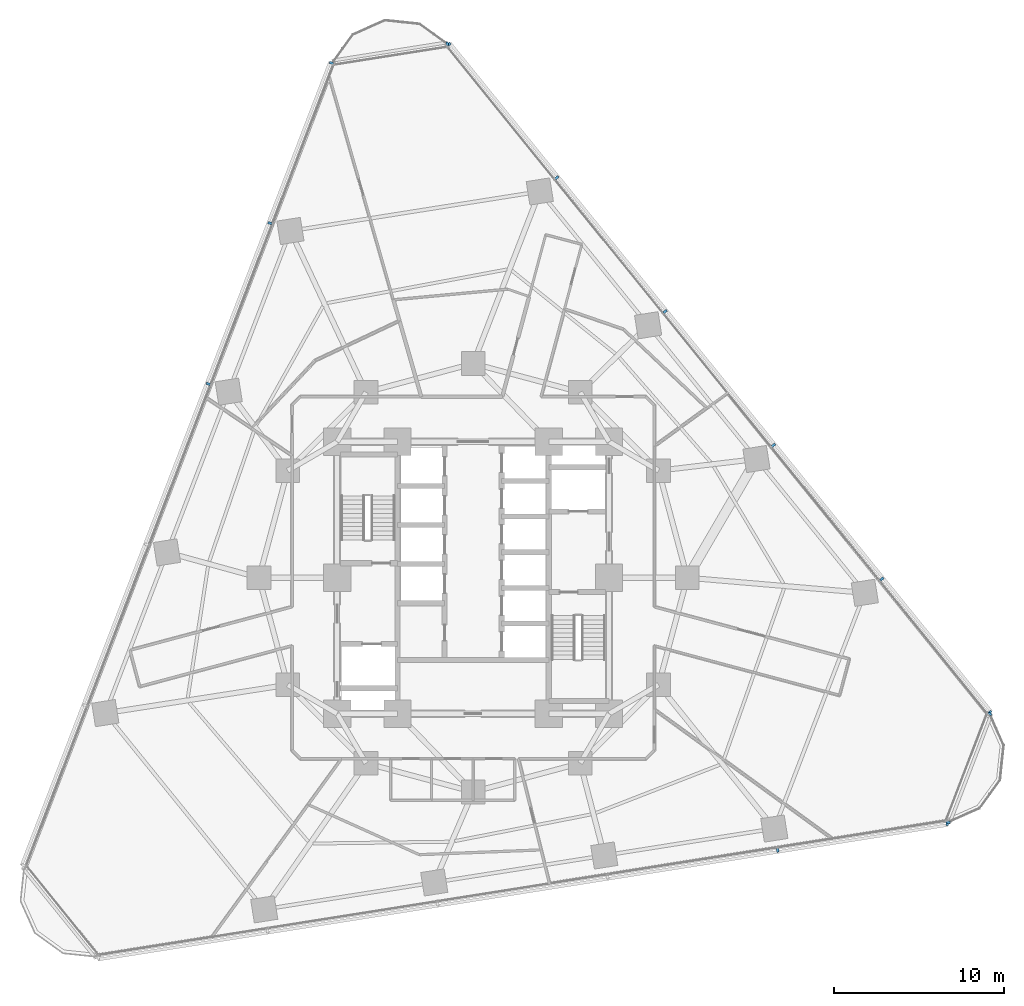
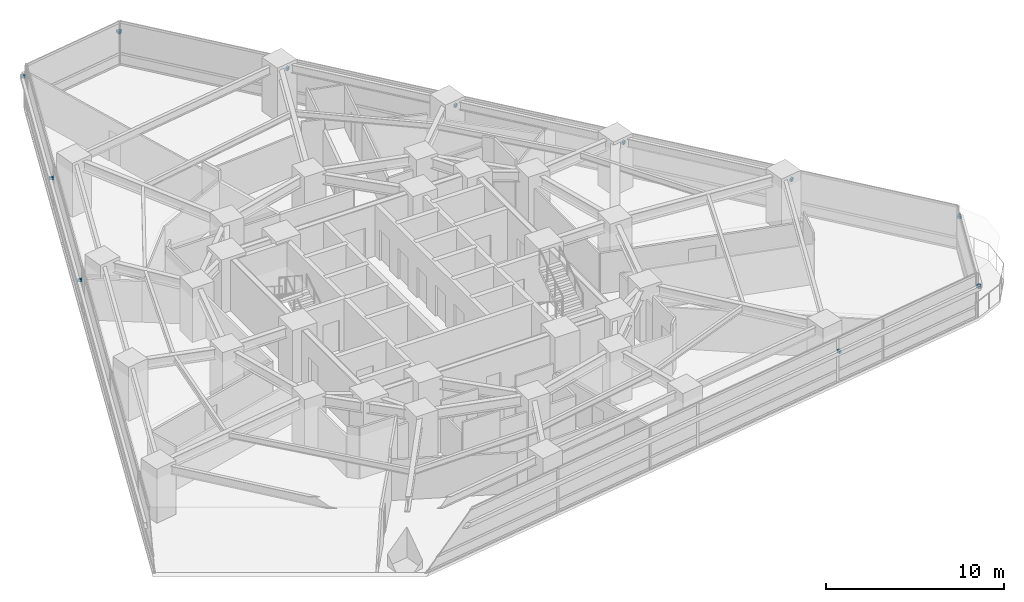
# One storey, part 10 of 13: 14 discrete accessories.
"""IFC4 building model written with IfcOpenShell, lengths in metres."""

from ifc_helpers import new_model, si_unit, direction, frame, origin, origin_2d, place, context, subcontext, project, spatial, rectangle, extrude, material, type_object, element, save


model = new_model("IFC4")

# Units and contexts
model_context = context("Model", 3, precision=1e-05, world=origin(), true_north=direction((0.0, 1.0)))
body_context = subcontext(model_context, "Body", "Model", "MODEL_VIEW")
ifc_project = project(units=[si_unit("LENGTHUNIT", "METRE"), si_unit("AREAUNIT", "SQUARE_METRE"), si_unit("VOLUMEUNIT", "CUBIC_METRE"), si_unit("PLANEANGLEUNIT", "RADIAN"), si_unit("MASSUNIT", "GRAM", prefix="KILO")], contexts=[model_context])

# Site, building, storey
site_placement = place(None, origin())
site = spatial("IfcSite", under=ifc_project, at=site_placement, CompositionType="ELEMENT")
building_placement = place(site_placement, origin())
building = spatial("IfcBuilding", under=site, at=building_placement, Name="Terralouvre Media Tower", CompositionType="ELEMENT")
storey_placement = place(building_placement, frame((0.0, 0.0, 59.300048828125)))
storey = spatial("IfcBuildingStorey", under=building, at=storey_placement, Name="L14", CompositionType="ELEMENT", Elevation=59.300048828125)

# Discrete accessories
ifc_material = material(Name="Anodised extruded aluminium 6063-T6", Category="aluminium")
discrete_accessory_type = type_object("IfcDiscreteAccessoryType", Name="Mullion Stand-Off Baguette Fixing Bracket BK-01", PredefinedType="BRACKET", material=ifc_material)
for number, where, z_axis, x_axis, name in (
    (1, (17.920654296875, -16.032470703125, 2.07421875), (0.0, 0.0, 1.0), (0.987688340934, 0.156434462903, 0.0), "CW-L14-F0 Baguette Outrigger Bracket 1.05"),
    (2, (27.886962890625, -14.4541015625, 2.07421875), (0.0, 0.0, 1.0), (0.987688340934, 0.156434462903, 0.0), "CW-L14-F0 Baguette Outrigger Bracket 1.06"),
    (3, (30.395751953125, -7.918701171875, 2.07421875), (0.0, 0.0, 1.0), (-0.629320350521, 0.777145994276, 0.0), "CW-L14-F1 Baguette Outrigger Bracket 1.01"),
    (4, (24.04541015625, -0.076904296875, 2.07421875), (0.0, 0.0, 1.0), (-0.629320350521, 0.777145994276, 0.0), "CW-L14-F1 Baguette Outrigger Bracket 1.02"),
    (5, (17.671630859375, 7.794189453125, 2.07421875), (0.0, 0.0, 1.0), (-0.629320350521, 0.777145994276, 0.0), "CW-L14-F1 Baguette Outrigger Bracket 1.03"),
    (6, (11.2978515625, 15.6650390625, 2.07421875), (0.0, 0.0, 1.0), (-0.629320350521, 0.777145994276, 0.0), "CW-L14-F1 Baguette Outrigger Bracket 1.04"),
    (7, (4.92431640625, 23.535888671875, 2.07421875), (0.0, 0.0, 1.0), (-0.629320350521, 0.777145994276, 0.0), "CW-L14-F1 Baguette Outrigger Bracket 1.05"),
    (8, (-1.426025390625, 31.377685546875, 2.07421875), (0.0, 0.0, 1.0), (-0.629320350521, 0.777145994276, 0.0), "CW-L14-F1 Baguette Outrigger Bracket 1.06"),
    (9, (-8.340087890625, 30.28271484375, 2.07421875), (0.0, 0.0, 1.0), (-0.358367917006, -0.933580438988, 0.0), "CW-L14-F2 Baguette Outrigger Bracket 1.01"),
    (10, (-11.956298828125, 20.8623046875, 2.07421875), (0.0, 0.0, 1.0), (-0.358367917006, -0.933580438988, 0.0), "CW-L14-F2 Baguette Outrigger Bracket 1.02"),
    (11, (-15.585693359375, 11.406982421875, 2.07421875), (0.0, 0.0, 1.0), (-0.358367917006, -0.933580438988, 0.0), "CW-L14-F2 Baguette Outrigger Bracket 1.03"),
    (12, (27.949951171875, -14.380859375, 2.07421875), (0.0, 0.0, 1.0), (0.358367472863, 0.933580609478, 0.0), "CW-L14-C1 Baguette Outrigger Bracket 1.01"),
    (13, (30.393310546875, -8.01513671875, 2.07421875), (0.0, 0.0, 1.0), (0.358367472863, 0.933580609478, 0.0), "CW-L14-C1 Baguette Outrigger Bracket 1.02"),
    (14, (-1.520751953125, 31.395751953125, 2.07421875), (0.0, 0.0, 1.0), (-0.987688353034, -0.156434386502, 0.0), "CW-L14-C2 Baguette Outrigger Bracket 1.01"),
):
    element("IfcDiscreteAccessory", number, at=place(storey_placement, frame(where, z_axis=z_axis, x_axis=x_axis)), inside=storey, type_object=discrete_accessory_type, Name=name, PredefinedType="BRACKET", context=body_context, shape_type="SweptSolid", body=[
        extrude(rectangle(XDim=0.139892578125, YDim=0.239990234375, at=origin_2d()), origin(), (0.0, 0.0, 1.0), 0.179931640625),
    ])

save(model, "model.ifc")
